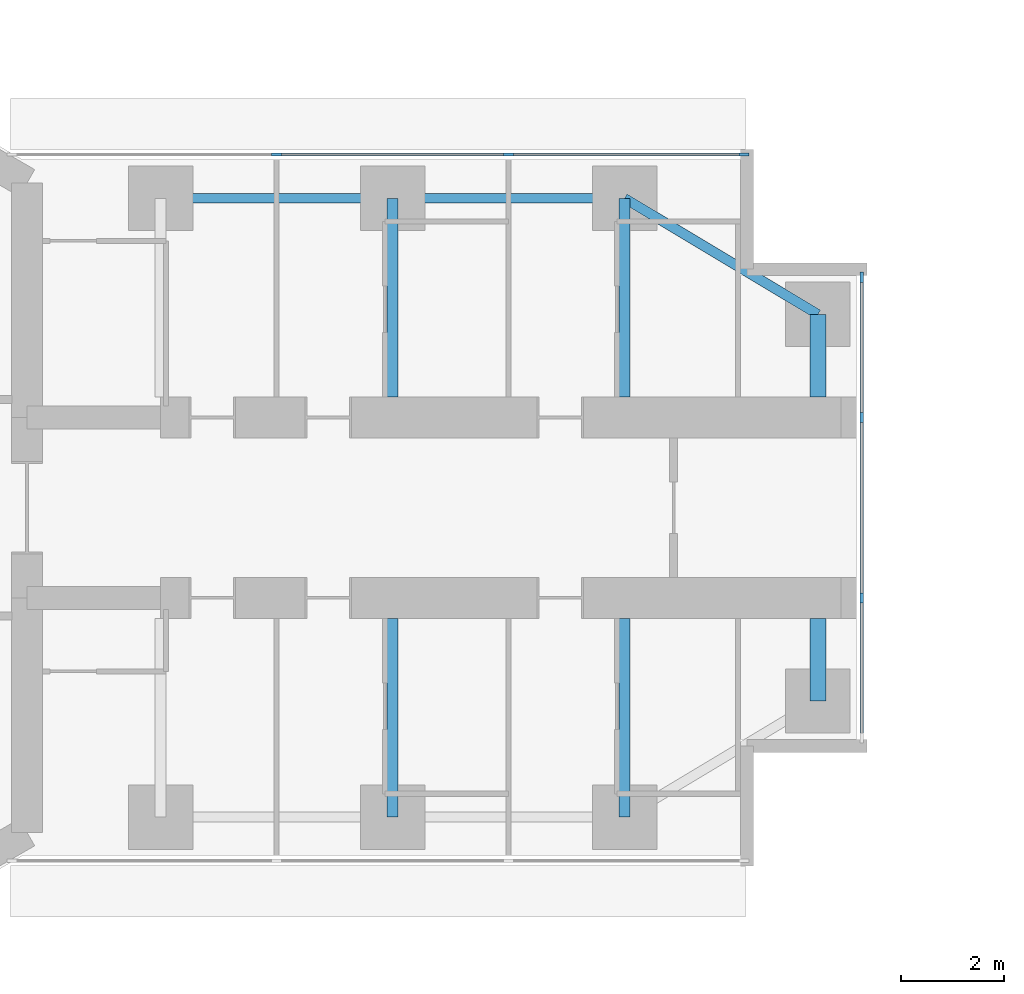
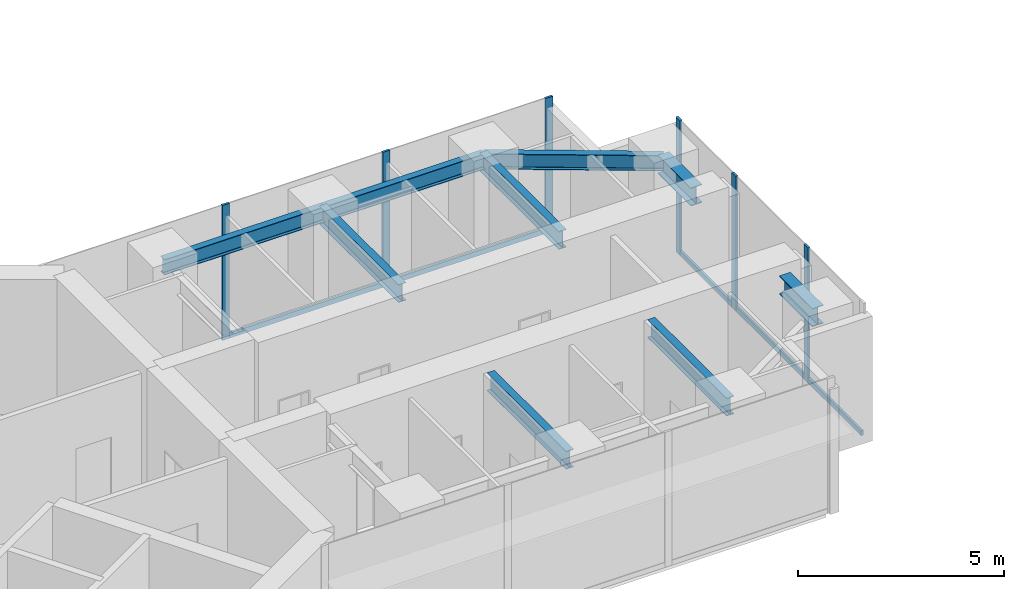
# One storey, part 7 of 23: 11 members, 9 beams, 2 elements without a shape of their own.
"""IFC4 building model written with IfcOpenShell, lengths in metres."""

from ifc_helpers import new_model, si_unit, direction, frame, origin, origin_2d, place, context, subcontext, project, spatial, rectangle, i_section, extrude, material, material_profile, profile_set, type_object, element, aggregate, save


model = new_model("IFC4")

# Units and contexts
model_context = context("Model", 3, precision=1e-05, world=origin(), true_north=direction((0.0, 1.0)))
body_context = subcontext(model_context, "Body", "Model", "MODEL_VIEW")
ifc_project = project(units=[si_unit("LENGTHUNIT", "METRE"), si_unit("AREAUNIT", "SQUARE_METRE"), si_unit("VOLUMEUNIT", "CUBIC_METRE"), si_unit("PLANEANGLEUNIT", "RADIAN"), si_unit("MASSUNIT", "GRAM", prefix="KILO")], contexts=[model_context])

# Site, building, storey
site_placement = place(None, origin())
site = spatial("IfcSite", under=ifc_project, at=site_placement, CompositionType="ELEMENT")
building_placement = place(site_placement, origin())
building = spatial("IfcBuilding", under=site, at=building_placement, Name="Upepo Twin Towers", CompositionType="ELEMENT")
storey_placement = place(building_placement, frame((0.0, 0.0, 161.5)))
storey = spatial("IfcBuildingStorey", under=building, at=storey_placement, Name="L39", CompositionType="ELEMENT", Elevation=161.5)

# Beams
ifc_material_1 = material(Name="Steel S355", Category="steel")
ifc_material_profile_1 = material_profile(ifc_material_1, i_section(OverallWidth=0.1904296875, OverallDepth=0.45703125, WebThickness=0.009033203125, FlangeThickness=0.014404296875, FilletRadius=0.01025390625, at=origin_2d()), Name="UB 457x191x74")
ifc_profile_set_1 = profile_set([ifc_material_profile_1], Name="Steel S355")
beam_type_1 = type_object("IfcBeamType", Name="Beam UB 457x191x74", PredefinedType="BEAM", material=ifc_profile_set_1)
for number, where, z_axis, x_axis, name in (
    (1, (13.5, 6.0, 3.471435546875), (1.0, 0.0, 0.0), (0.0, 1.0, 0.0), "T1 edge beam AL 13.5-18.0"),
    (2, (18.0, 6.0, 3.471435546875), (1.0, 0.0, 0.0), (0.0, 1.0, 0.0), "T1 edge beam AL 18.0-22.5"),
):
    element("IfcBeam", number, at=place(storey_placement, frame(where, z_axis=z_axis, x_axis=x_axis)), inside=storey, type_object=beam_type_1, Name=name, PredefinedType="BEAM", context=body_context, shape_type="SweptSolid", body=[
        extrude(i_section(OverallWidth=0.1904296875, OverallDepth=0.45703125, WebThickness=0.009033203125, FlangeThickness=0.014404296875, FilletRadius=0.01025390625, at=origin_2d()), origin(), (0.0, 0.0, 1.0), 4.5),
    ])
beam_placement = place(storey_placement, frame((22.5, 6.0, 3.471435546875), z_axis=(0.857492925713, -0.514495755428, 0.0), x_axis=(0.514495755428, 0.857492925713, 0.0)))
element("IfcBeam", 3, at=beam_placement, inside=storey, type_object=beam_type_1, Name="T1 nose edge beam AL", PredefinedType="BEAM", context=body_context, shape_type="SweptSolid", body=[
    extrude(i_section(OverallWidth=0.1904296875, OverallDepth=0.45703125, WebThickness=0.009033203125, FlangeThickness=0.014404296875, FilletRadius=0.01025390625, at=origin_2d()), origin(), (0.0, 0.0, 1.0), 4.373291015625),
])
ifc_material_2 = material(Name="Steel S355", Category="steel")
ifc_material_profile_2 = material_profile(ifc_material_2, i_section(OverallWidth=0.209228515625, OverallDepth=0.533203125, WebThickness=0.010009765625, FlangeThickness=0.015625, FilletRadius=0.0126953125, at=origin_2d()), Name="UB 533x210x92")
ifc_profile_set_2 = profile_set([ifc_material_profile_2], Name="Steel S355")
beam_type_2 = type_object("IfcBeamType", Name="Beam UB 533x210x92", PredefinedType="BEAM", material=ifc_profile_set_2)
for number, where, z_axis, x_axis, name in (
    (4, (18.0, 6.0, 3.433349609375), (0.0, -1.0, 0.0), (1.0, 0.0, 0.0), "T1 girder AL at 18.0"),
    (5, (22.5, 6.0, 3.433349609375), (0.0, -1.0, 0.0), (1.0, 0.0, 0.0), "T1 girder AL at 22.5"),
    (6, (18.0, -6.0, 3.433349609375), (0.0, 1.0, 0.0), (-1.0, 0.0, 0.0), "T1 girder AR at 18.0"),
    (7, (22.5, -6.0, 3.433349609375), (0.0, 1.0, 0.0), (-1.0, 0.0, 0.0), "T1 girder AR at 22.5"),
):
    element("IfcBeam", number, at=place(storey_placement, frame(where, z_axis=z_axis, x_axis=x_axis)), inside=storey, type_object=beam_type_2, Name=name, PredefinedType="BEAM", context=body_context, shape_type="SweptSolid", body=[
        extrude(i_section(OverallWidth=0.209228515625, OverallDepth=0.533203125, WebThickness=0.010009765625, FlangeThickness=0.015625, FilletRadius=0.0126953125, at=origin_2d()), origin(), (0.0, 0.0, 1.0), 3.85009765625),
    ])
ifc_material_3 = material(Name="Steel S355", Category="steel")
ifc_material_profile_3 = material_profile(ifc_material_3, i_section(OverallWidth=0.31201171875, OverallDepth=0.54345703125, WebThickness=0.0126953125, FlangeThickness=0.020263671875, FilletRadius=0.0126953125, at=origin_2d()), Name="UB 533x312x150")
ifc_profile_set_3 = profile_set([ifc_material_profile_3], Name="Steel S355")
beam_type_3 = type_object("IfcBeamType", Name="Beam UB 533x312x150", PredefinedType="BEAM", material=ifc_profile_set_3)
for number, where, z_axis, x_axis, name in (
    (8, (26.25, 3.75, 3.42822265625), (0.0, -1.0, 0.0), (1.0, 0.0, 0.0), "T1 nose beam AL"),
    (9, (26.25, -3.75, 3.42822265625), (0.0, 1.0, 0.0), (-1.0, 0.0, 0.0), "T1 nose beam AR"),
):
    element("IfcBeam", number, at=place(storey_placement, frame(where, z_axis=z_axis, x_axis=x_axis)), inside=storey, type_object=beam_type_3, Name=name, PredefinedType="BEAM", context=body_context, shape_type="SweptSolid", body=[
        extrude(i_section(OverallWidth=0.31201171875, OverallDepth=0.54345703125, WebThickness=0.0126953125, FlangeThickness=0.020263671875, FilletRadius=0.0126953125, at=origin_2d()), origin(), (0.0, 0.0, 1.0), 1.60009765625),
    ])

# Curtain wall, members
ifc_material_4 = material(Name="Aluminium and fritted glass", Category="aluminium")
curtain_wall_type = type_object("IfcCurtainWallType", Name="Tower curtain wall TW2, fritted glass", PredefinedType="NOTDEFINED", material=ifc_material_4)
curtain_wall_1_placement = place(storey_placement, origin())
curtain_wall_1 = element("IfcCurtainWall", 10, at=curtain_wall_1_placement, inside=storey, type_object=curtain_wall_type, Name="T1 L39 wing A flank L curtain wall", PredefinedType="NOTDEFINED")
ifc_material_5 = material(Name="Aluminium mullion", Category="aluminium")
ifc_material_profile_4 = material_profile(ifc_material_5, rectangle(XDim=0.06494140625, YDim=0.199951171875, at=origin_2d()), Name="MULLION 65x200")
ifc_profile_set_4 = profile_set([ifc_material_profile_4], Name="Aluminium mullion")
member_type_1 = type_object("IfcMemberType", Name="Mullion 65x200 TW2", PredefinedType="MULLION", material=ifc_profile_set_4)
member_1_placement = place(storey_placement, frame((15.75, 6.85009765625, 0.0), z_axis=(0.0, 0.0, 1.0), x_axis=(0.0, 1.0, 0.0)))
member_1 = element("IfcMember", 11, at=member_1_placement, type_object=member_type_1, Name="T1 L39 wing A flank L curtain wall mullion 2", PredefinedType="MULLION", context=body_context, shape_type="SweptSolid", body=[
    extrude(rectangle(XDim=0.06494140625, YDim=0.199951171875, at=origin_2d()), origin(), (0.0, 0.0, 1.0), 4.0),
])
member_2_placement = place(storey_placement, frame((20.25, 6.85009765625, 0.0), z_axis=(0.0, 0.0, 1.0), x_axis=(0.0, 1.0, 0.0)))
member_2 = element("IfcMember", 12, at=member_2_placement, type_object=member_type_1, Name="T1 L39 wing A flank L curtain wall mullion 3", PredefinedType="MULLION", context=body_context, shape_type="SweptSolid", body=[
    extrude(rectangle(XDim=0.06494140625, YDim=0.199951171875, at=origin_2d()), origin(), (0.0, 0.0, 1.0), 4.0),
])
member_3_placement = place(storey_placement, frame((24.8173828125, 6.85009765625, 0.0), z_axis=(0.0, 0.0, 1.0), x_axis=(0.0, 1.0, 0.0)))
member_3 = element("IfcMember", 13, at=member_3_placement, type_object=member_type_1, Name="T1 L39 wing A flank L curtain wall mullion 4", PredefinedType="MULLION", context=body_context, shape_type="SweptSolid", body=[
    extrude(rectangle(XDim=0.06494140625, YDim=0.199951171875, at=origin_2d()), origin(), (0.0, 0.0, 1.0), 4.0),
])

curtain_wall_2_placement = place(storey_placement, origin())
curtain_wall_2 = element("IfcCurtainWall", 14, at=curtain_wall_2_placement, inside=storey, type_object=curtain_wall_type, Name="T1 L39 wing A nose curtain wall", PredefinedType="NOTDEFINED")
member_4_placement = place(storey_placement, frame((27.10009765625, -1.75, 0.0), z_axis=(0.0, 0.0, 1.0), x_axis=(-1.0, 0.0, 0.0)))
member_4 = element("IfcMember", 15, at=member_4_placement, type_object=member_type_1, Name="T1 L39 wing A nose curtain wall mullion 2", PredefinedType="MULLION", context=body_context, shape_type="SweptSolid", body=[
    extrude(rectangle(XDim=0.06494140625, YDim=0.199951171875, at=origin_2d()), origin(), (0.0, 0.0, 1.0), 4.0),
])
member_5_placement = place(storey_placement, frame((27.10009765625, 1.75, 0.0), z_axis=(0.0, 0.0, 1.0), x_axis=(-1.0, 0.0, 0.0)))
member_5 = element("IfcMember", 16, at=member_5_placement, type_object=member_type_1, Name="T1 L39 wing A nose curtain wall mullion 3", PredefinedType="MULLION", context=body_context, shape_type="SweptSolid", body=[
    extrude(rectangle(XDim=0.06494140625, YDim=0.199951171875, at=origin_2d()), origin(), (0.0, 0.0, 1.0), 4.0),
])
member_6_placement = place(storey_placement, frame((27.10009765625, 4.467529296875, 0.0), z_axis=(0.0, 0.0, 1.0), x_axis=(-1.0, 0.0, 0.0)))
member_6 = element("IfcMember", 17, at=member_6_placement, type_object=member_type_1, Name="T1 L39 wing A nose curtain wall mullion 4", PredefinedType="MULLION", context=body_context, shape_type="SweptSolid", body=[
    extrude(rectangle(XDim=0.06494140625, YDim=0.199951171875, at=origin_2d()), origin(), (0.0, 0.0, 1.0), 4.0),
])

# Member
ifc_material_6 = material(Name="Aluminium transom", Category="aluminium")
ifc_material_profile_5 = material_profile(ifc_material_6, rectangle(XDim=0.06494140625, YDim=0.14990234375, at=origin_2d()), Name="TRANSOM 65x150")
ifc_profile_set_5 = profile_set([ifc_material_profile_5], Name="Aluminium transom")
member_type_2 = type_object("IfcMemberType", Name="Transom 65x150 TW2", PredefinedType="USERDEFINED", material=ifc_profile_set_5)
member_7_placement = place(storey_placement, frame((15.782470703125, 6.85009765625, 0.074951171875), z_axis=(1.0, 0.0, 0.0), x_axis=(0.0, 1.0, 0.0)))
member_7 = element("IfcMember", 18, at=member_7_placement, type_object=member_type_2, Name="T1 L39 wing A flank L curtain wall transom 2", ObjectType="TRANSOM", PredefinedType="USERDEFINED", context=body_context, shape_type="SweptSolid", body=[
    extrude(rectangle(XDim=0.06494140625, YDim=0.14990234375, at=origin_2d()), origin(), (0.0, 0.0, 1.0), 4.43505859375),
])

member_8_placement = place(storey_placement, frame((20.282470703125, 6.85009765625, 0.074951171875), z_axis=(1.0, 0.0, 0.0), x_axis=(0.0, 1.0, 0.0)))
member_8 = element("IfcMember", 19, at=member_8_placement, type_object=member_type_2, Name="T1 L39 wing A flank L curtain wall transom 3", ObjectType="TRANSOM", PredefinedType="USERDEFINED", context=body_context, shape_type="SweptSolid", body=[
    extrude(rectangle(XDim=0.06494140625, YDim=0.14990234375, at=origin_2d()), origin(), (0.0, 0.0, 1.0), 4.50244140625),
])

aggregate(curtain_wall_1, [member_1, member_2, member_3, member_7, member_8])

member_9_placement = place(storey_placement, frame((27.10009765625, -4.43505859375, 0.074951171875), z_axis=(0.0, 1.0, 0.0), x_axis=(-1.0, 0.0, 0.0)))
member_9 = element("IfcMember", 20, at=member_9_placement, type_object=member_type_2, Name="T1 L39 wing A nose curtain wall transom 1", ObjectType="TRANSOM", PredefinedType="USERDEFINED", context=body_context, shape_type="SweptSolid", body=[
    extrude(rectangle(XDim=0.06494140625, YDim=0.14990234375, at=origin_2d()), origin(), (0.0, 0.0, 1.0), 2.652587890625),
])

member_10_placement = place(storey_placement, frame((27.10009765625, -1.717529296875, 0.074951171875), z_axis=(0.0, 1.0, 0.0), x_axis=(-1.0, 0.0, 0.0)))
member_10 = element("IfcMember", 21, at=member_10_placement, type_object=member_type_2, Name="T1 L39 wing A nose curtain wall transom 2", ObjectType="TRANSOM", PredefinedType="USERDEFINED", context=body_context, shape_type="SweptSolid", body=[
    extrude(rectangle(XDim=0.06494140625, YDim=0.14990234375, at=origin_2d()), origin(), (0.0, 0.0, 1.0), 3.43505859375),
])

member_11_placement = place(storey_placement, frame((27.10009765625, 1.782470703125, 0.074951171875), z_axis=(0.0, 1.0, 0.0), x_axis=(-1.0, 0.0, 0.0)))
member_11 = element("IfcMember", 22, at=member_11_placement, type_object=member_type_2, Name="T1 L39 wing A nose curtain wall transom 3", ObjectType="TRANSOM", PredefinedType="USERDEFINED", context=body_context, shape_type="SweptSolid", body=[
    extrude(rectangle(XDim=0.06494140625, YDim=0.14990234375, at=origin_2d()), origin(), (0.0, 0.0, 1.0), 2.652587890625),
])

aggregate(curtain_wall_2, [member_4, member_5, member_6, member_9, member_10, member_11])

save(model, "model.ifc")
